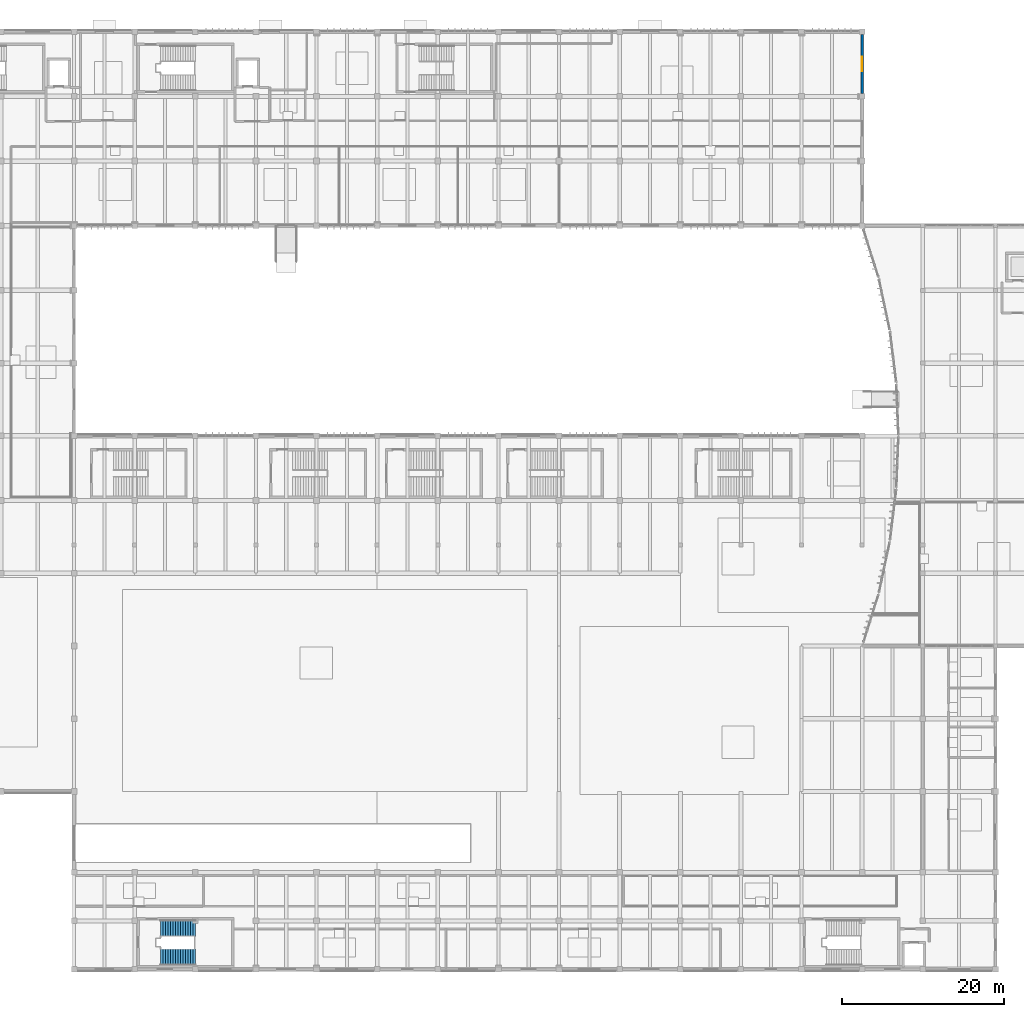
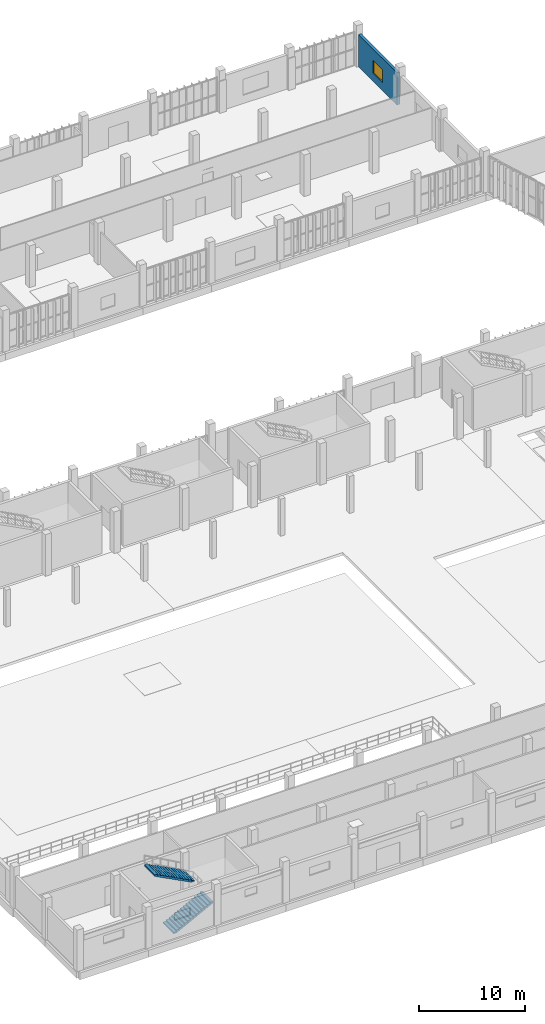
# One storey, part 52 of 72: 2 stair flights, 1 wall, 1 window, 1 opening, 1 element without a shape of its own.
"""IFC4 building model written with IfcOpenShell, lengths in metres."""

from ifc_helpers import new_model, si_unit, direction, frame, frame_2d, origin, place, context, subcontext, project, spatial, polyline, rectangle, outline, extrude, material, layer, layer_set, type_object, element, fill, aggregate, save


model = new_model("IFC4")

# Units and contexts
model_context = context("Model", 3, precision=1e-05, world=origin(), true_north=direction((0.0, 1.0)))
body_context = subcontext(model_context, "Body", "Model", "MODEL_VIEW")
ifc_project = project(units=[si_unit("LENGTHUNIT", "METRE"), si_unit("AREAUNIT", "SQUARE_METRE"), si_unit("VOLUMEUNIT", "CUBIC_METRE"), si_unit("PLANEANGLEUNIT", "RADIAN"), si_unit("MASSUNIT", "GRAM", prefix="KILO")], contexts=[model_context])

# Site, building, storey
site_placement = place(None, origin())
site = spatial("IfcSite", under=ifc_project, at=site_placement, CompositionType="ELEMENT")
building_placement = place(site_placement, origin())
building = spatial("IfcBuilding", under=site, at=building_placement, Name="Vourika Railside Aquatics Centre", CompositionType="ELEMENT")
storey_placement = place(building_placement, origin())
storey = spatial("IfcBuildingStorey", under=building, at=storey_placement, Name="L00", CompositionType="ELEMENT", Elevation=0.0)

# Wall, opening, window
ifc_material_1 = material(Name="Precast concrete C40/50", Category="concrete")
ifc_layer = layer(ifc_material_1, 0.320068359375, Name="WL-EXT-320")
ifc_layer_set = layer_set([ifc_layer], Name="Precast concrete C40/50")
wall_type = type_object("IfcWallType", Name="WL-EXT-320", PredefinedType="SOLIDWALL", material=ifc_layer_set)
wall_placement = place(storey_placement, frame((133.5, 108.35009765625, 0.0), z_axis=(0.0, 0.0, 1.0), x_axis=(0.0, 1.0, 0.0)))
wall = element("IfcWall", 1, at=wall_placement, inside=storey, type_object=wall_type, Name="Fitness Step-Back East Wall L00-3", PredefinedType="SOLIDWALL", context=body_context, shape_type="SweptSolid", body=[
    extrude(rectangle(XDim=7.2998046875, YDim=0.320068359375, at=frame_2d((3.64990234375, 0.0))), origin(), (0.0, 0.0, 1.0), 3.72998046875),
])
opening_placement = place(wall_placement, frame((2.75, 0.0, 0.949951171875)))
opening = element("IfcOpeningElement", 2, at=opening_placement, cuts=wall, Name="Opening W08", PredefinedType="OPENING", context=body_context, shape_type="SweptSolid", body=[
    extrude(rectangle(XDim=1.800048828125, YDim=1.5, at=frame_2d((0.89990234375, 0.75))), frame((0.0, 0.169921875, 0.0), z_axis=(0.0, -1.0, 0.0), x_axis=(1.0, 0.0, 0.0)), (0.0, 0.0, 1.0), 0.340087890625),
])
ifc_material_2 = material(Name="Laminated solar-control glass", Category="glass")
window_type = type_object("IfcWindowType", Name="WN-CLN-180x150", PartitioningType="SINGLE_PANEL", PredefinedType="WINDOW", material=ifc_material_2)
window_placement = place(opening_placement, origin())
window = element("IfcWindow", 3, at=window_placement, inside=storey, type_object=window_type, Name="Fitness East Window L00-3", OverallHeight=1.5, OverallWidth=1.800048828125, PartitioningType="SINGLE_PANEL", PredefinedType="WINDOW", context=body_context, shape_type="SweptSolid", body=[
    extrude(rectangle(XDim=1.800048828125, YDim=1.5, at=frame_2d((0.89990234375, 0.75))), frame((0.0, 0.030029296875, 0.0), z_axis=(0.0, -1.0, 0.0), x_axis=(1.0, 0.0, 0.0)), (0.0, 0.0, 1.0), 0.06005859375),
])
fill(opening, window)

# Stair, stair flights
ifc_material_3 = material(Name="Concrete C35/45", Category="concrete")
stair_type = type_object("IfcStairType", Name="STR-CORE-L00", PredefinedType="TWO_STRAIGHT_RUN_STAIR", material=ifc_material_3)
stair_placement = place(storey_placement, origin())
stair = element("IfcStair", 4, at=stair_placement, inside=storey, type_object=stair_type, Name="Protected Exit Stair Core ST11 (L00)", PredefinedType="TWO_STRAIGHT_RUN_STAIR")
stair_flight_type = type_object("IfcStairFlightType", Name="STF-CORE-L00", PredefinedType="STRAIGHT", material=ifc_material_3)
stair_flight_1_placement = place(storey_placement, frame((46.699951171875, 1.52001953125, 0.0), z_axis=(0.0, 0.0, 1.0), x_axis=(1.0, 0.0, 0.0)))
stair_flight_1 = element("IfcStairFlight", 5, at=stair_flight_1_placement, type_object=stair_flight_type, Name="STC-L00 flight 1", NumberOfRisers=15, NumberOfTreads=14, PredefinedType="STRAIGHT", RiserHeight=0.16, TreadLength=0.308, context=body_context, shape_type="SweptSolid", body=[
    extrude(outline(polyline([(0.0, 0.0), (0.0, 0.159912109375), (0.30810546875, 0.159912109375), (0.30810546875, 0.320068359375), (0.615966796875, 0.320068359375), (0.615966796875, 0.47998046875), (0.924072265625, 0.47998046875), (0.924072265625, 0.639892578125), (1.23193359375, 0.639892578125), (1.23193359375, 0.800048828125), (1.5400390625, 0.800048828125), (1.5400390625, 0.9599609375), (1.847900390625, 0.9599609375), (1.847900390625, 1.1201171875), (2.156005859375, 1.1201171875), (2.156005859375, 1.280029296875), (2.464111328125, 1.280029296875), (2.464111328125, 1.43994140625), (2.77197265625, 1.43994140625), (2.77197265625, 1.60009765625), (3.080078125, 1.60009765625), (3.080078125, 1.760009765625), (3.387939453125, 1.760009765625), (3.387939453125, 1.919921875), (3.696044921875, 1.919921875), (3.696044921875, 2.080078125), (4.00390625, 2.080078125), (4.00390625, 2.239990234375), (4.31201171875, 2.239990234375), (4.31201171875, 2.39990234375), (4.31201171875, 2.059814453125), (0.346923828125, 0.0), (0.0, 0.0)])), frame((0.0, 1.0, 0.0), z_axis=(0.0, -1.0, 0.0), x_axis=(1.0, 0.0, 0.0)), (0.0, 0.0, 1.0), 2.0),
])
stair_flight_2_placement = place(storey_placement, frame((51.011962890625, 5.080078125, 2.39990234375), z_axis=(0.0, 0.0, 1.0), x_axis=(-1.0, 0.0, 0.0)))
stair_flight_2 = element("IfcStairFlight", 6, at=stair_flight_2_placement, type_object=stair_flight_type, Name="STC-L00 flight 2", NumberOfRisers=15, NumberOfTreads=14, PredefinedType="STRAIGHT", RiserHeight=0.16, TreadLength=0.308, context=body_context, shape_type="SweptSolid", body=[
    extrude(outline(polyline([(0.0, 0.0), (0.0, 0.159912109375), (0.30810546875, 0.159912109375), (0.30810546875, 0.320068359375), (0.615966796875, 0.320068359375), (0.615966796875, 0.47998046875), (0.924072265625, 0.47998046875), (0.924072265625, 0.639892578125), (1.23193359375, 0.639892578125), (1.23193359375, 0.800048828125), (1.5400390625, 0.800048828125), (1.5400390625, 0.9599609375), (1.847900390625, 0.9599609375), (1.847900390625, 1.1201171875), (2.156005859375, 1.1201171875), (2.156005859375, 1.280029296875), (2.464111328125, 1.280029296875), (2.464111328125, 1.43994140625), (2.77197265625, 1.43994140625), (2.77197265625, 1.60009765625), (3.080078125, 1.60009765625), (3.080078125, 1.760009765625), (3.387939453125, 1.760009765625), (3.387939453125, 1.919921875), (3.696044921875, 1.919921875), (3.696044921875, 2.080078125), (4.00390625, 2.080078125), (4.00390625, 2.239990234375), (4.31201171875, 2.239990234375), (4.31201171875, 2.39990234375), (4.31201171875, 2.059814453125), (0.346923828125, 0.0), (0.0, 0.0)])), frame((0.0, 1.0, 0.0), z_axis=(0.0, -1.0, 0.0), x_axis=(1.0, 0.0, 0.0)), (0.0, 0.0, 1.0), 2.0),
])
aggregate(stair, [stair_flight_1, stair_flight_2])

save(model, "model.ifc")
